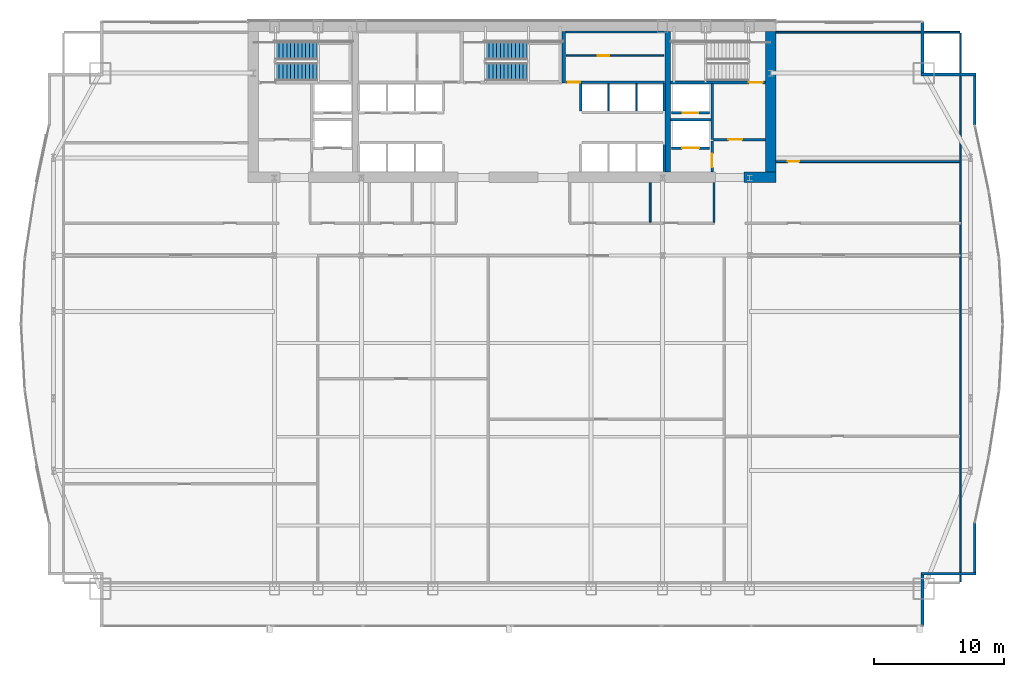
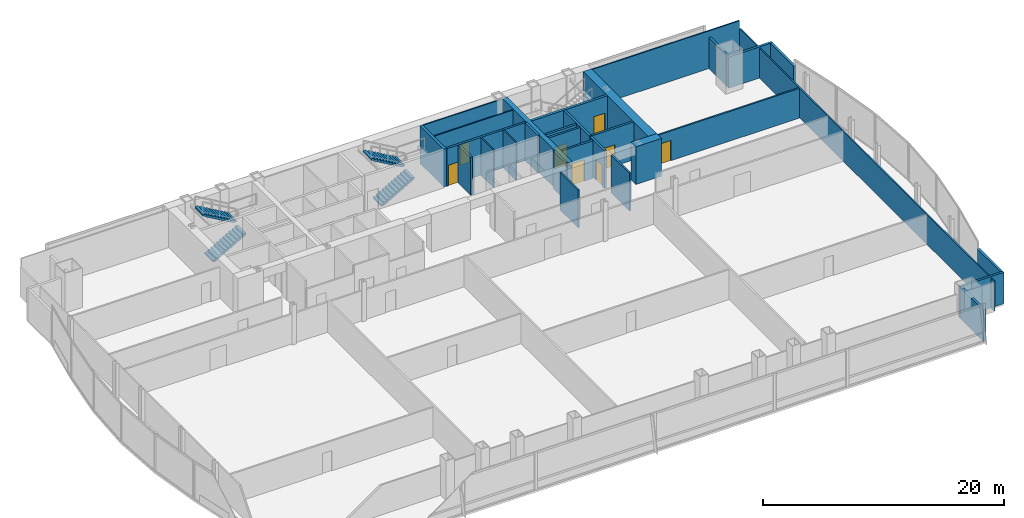
# One storey, part 31 of 35: 30 walls, 8 doors, 4 stair flights, 8 openings, 2 elements without a shape of their own.
"""IFC4 building model written with IfcOpenShell, lengths in metres."""

from ifc_helpers import new_model, si_unit, direction, frame, frame_2d, origin, place, context, subcontext, project, spatial, polyline, rectangle, outline, extrude, material, layer, layer_set, type_object, element, fill, aggregate, save


model = new_model("IFC4")

# Units and contexts
model_context = context("Model", 3, precision=1e-05, world=origin(), true_north=direction((0.0, 1.0)))
body_context = subcontext(model_context, "Body", "Model", "MODEL_VIEW")
ifc_project = project(units=[si_unit("LENGTHUNIT", "METRE"), si_unit("AREAUNIT", "SQUARE_METRE"), si_unit("VOLUMEUNIT", "CUBIC_METRE"), si_unit("PLANEANGLEUNIT", "RADIAN"), si_unit("MASSUNIT", "GRAM", prefix="KILO")], contexts=[model_context])

# Site, building, storey
site_placement = place(None, origin())
site = spatial("IfcSite", under=ifc_project, at=site_placement, CompositionType="ELEMENT")
building_placement = place(site_placement, origin())
building = spatial("IfcBuilding", under=site, at=building_placement, Name="Khoronbel Lancet Exchange", CompositionType="ELEMENT")
storey_placement = place(building_placement, frame((0.0, 0.0, 53.800048828125)))
storey = spatial("IfcBuildingStorey", under=building, at=storey_placement, Name="L12", CompositionType="ELEMENT", Elevation=53.800048828125)

# Walls
ifc_material_1 = material(Name="Concrete C80/95", Category="concrete")
ifc_layer_1 = layer(ifc_material_1, 0.800048828125, Name="Concrete C80/95")
ifc_layer_set_1 = layer_set([ifc_layer_1], Name="Concrete C80/95")
wall_type_1 = type_object("IfcWallType", Name="WL-CW1", PredefinedType="SHEAR", material=ifc_layer_set_1)
wall_1_placement = place(storey_placement, frame((56.300048828125, 52.89990234375, 0.0), z_axis=(0.0, 0.0, 1.0), x_axis=(0.0, -1.0, 0.0)))
element("IfcWall", 1, at=wall_1_placement, inside=storey, type_object=wall_type_1, Name="Level L12 rear core east shear wall", PredefinedType="SHEAR", context=body_context, shape_type="SweptSolid", body=[
    extrude(rectangle(XDim=10.7998046875, YDim=0.800048828125, at=frame_2d((5.39990234375, 0.0))), origin(), (0.0, 0.0, 1.0), 3.820068359375),
])
wall_2_placement = place(storey_placement, frame((56.699951171875, 41.699951171875, 0.0), z_axis=(0.0, 0.0, 1.0), x_axis=(-1.0, 0.0, 0.0)))
element("IfcWall", 2, at=wall_2_placement, inside=storey, type_object=wall_type_1, Name="Level L12 rear core south shear wall pier P5", PredefinedType="SHEAR", context=body_context, shape_type="SweptSolid", body=[
    extrude(rectangle(XDim=2.449951171875, YDim=0.800048828125, at=frame_2d((1.22509765625, 0.0))), origin(), (0.0, 0.0, 1.0), 3.820068359375),
])
ifc_material_2 = material(Name="Precast concrete C40/50", Category="concrete")
ifc_layer_2 = layer(ifc_material_2, 0.25, Name="Precast concrete C40/50")
ifc_layer_set_2 = layer_set([ifc_layer_2], Name="Precast concrete C40/50")
wall_type_2 = type_object("IfcWallType", Name="WL-EXT250", PredefinedType="SOLIDWALL", material=ifc_layer_set_2)
wall_3_placement = place(storey_placement, frame((67.9599609375, 53.6298828125, 0.0), z_axis=(0.0, 0.0, 1.0), x_axis=(0.0, -1.0, 0.0)))
element("IfcWall", 3, at=wall_3_placement, inside=storey, type_object=wall_type_2, Name="Level L12 notched-corner limestone pier 14", PredefinedType="SOLIDWALL", context=body_context, shape_type="SweptSolid", body=[
    extrude(rectangle(XDim=3.909912109375, YDim=0.219970703125, at=frame_2d((1.955078125, 0.0))), origin(), (0.0, 0.0, 1.0), 3.159912109375),
])
wall_4_placement = place(storey_placement, frame((67.85009765625, 49.610107421875, 0.0), z_axis=(0.0, 0.0, 1.0), x_axis=(1.0, 0.0, 0.0)))
element("IfcWall", 4, at=wall_4_placement, inside=storey, type_object=wall_type_2, Name="Level L12 notched-corner limestone pier 15", PredefinedType="SOLIDWALL", context=body_context, shape_type="SweptSolid", body=[
    extrude(rectangle(XDim=4.219970703125, YDim=0.219970703125, at=frame_2d((2.10986328125, 0.0))), origin(), (0.0, 0.0, 1.0), 3.159912109375),
])
wall_5_placement = place(storey_placement, frame((71.9599609375, 49.5, 0.0), z_axis=(0.0, 0.0, 1.0), x_axis=(0.0, -1.0, 0.0)))
element("IfcWall", 5, at=wall_5_placement, inside=storey, type_object=wall_type_2, Name="Level L12 notched-corner limestone pier 16", PredefinedType="SOLIDWALL", context=body_context, shape_type="SweptSolid", body=[
    extrude(rectangle(XDim=3.829345703125, YDim=0.219970703125, at=frame_2d((1.91455078125, 0.0))), origin(), (0.0, 0.0, 1.0), 3.159912109375),
])
wall_6_placement = place(storey_placement, frame((71.9599609375, 15.2294921875, 0.0), z_axis=(0.0, 0.0, 1.0), x_axis=(0.0, -1.0, 0.0)))
element("IfcWall", 6, at=wall_6_placement, inside=storey, type_object=wall_type_2, Name="Level L12 notched-corner limestone pier 23", PredefinedType="SOLIDWALL", context=body_context, shape_type="SweptSolid", body=[
    extrude(rectangle(XDim=3.82958984375, YDim=0.219970703125, at=frame_2d((1.914794921875, 0.0))), origin(), (0.0, 0.0, 1.0), 3.159912109375),
])
wall_7_placement = place(storey_placement, frame((72.070068359375, 11.2900390625, 0.0), z_axis=(0.0, 0.0, 1.0), x_axis=(-1.0, 0.0, 0.0)))
element("IfcWall", 7, at=wall_7_placement, inside=storey, type_object=wall_type_2, Name="Level L12 notched-corner limestone pier 24", PredefinedType="SOLIDWALL", context=body_context, shape_type="SweptSolid", body=[
    extrude(rectangle(XDim=4.219970703125, YDim=0.219970703125, at=frame_2d((2.10986328125, 0.0))), origin(), (0.0, 0.0, 1.0), 3.159912109375),
])
wall_8_placement = place(storey_placement, frame((67.9599609375, 11.179931640625, 0.0), z_axis=(0.0, 0.0, 1.0), x_axis=(0.0, -1.0, 0.0)))
element("IfcWall", 8, at=wall_8_placement, inside=storey, type_object=wall_type_2, Name="Level L12 notched-corner limestone pier 25", PredefinedType="SOLIDWALL", context=body_context, shape_type="SweptSolid", body=[
    extrude(rectangle(XDim=3.909912109375, YDim=0.219970703125, at=frame_2d((1.955078125, 0.0))), origin(), (0.0, 0.0, 1.0), 3.159912109375),
])
ifc_material_3 = material(Name="Acoustic Metal-Stud & Mineral-Wool Gypsum Partition 120 mm", Category="gypsum")
ifc_layer_3 = layer(ifc_material_3, 0.1201171875, Name="Acoustic Metal-Stud & Mineral-Wool Gypsum Partition 120 mm")
ifc_layer_set_3 = layer_set([ifc_layer_3], Name="Acoustic Metal-Stud & Mineral-Wool Gypsum Partition 120 mm")
wall_type_3 = type_object("IfcWallType", Name="WL-PRT120", PredefinedType="PARTITIONING", material=ifc_layer_set_3)
for number, where, z_axis, x_axis, name in (
    (9, (47.050048828125, 38.280029296875, 0.0), (0.0, 0.0, 1.0), (0.0, 1.0, 0.0), "Level L12 interior partition PW-NP-M"),
    (10, (51.949951171875, 38.280029296875, 0.0), (0.0, 0.0, 1.0), (0.0, 1.0, 0.0), "Level L12 interior partition PW-NP-1"),
):
    element("IfcWall", number, at=place(storey_placement, frame(where, z_axis=z_axis, x_axis=x_axis)), inside=storey, type_object=wall_type_3, Name=name, PredefinedType="PARTITIONING", context=body_context, shape_type="SweptSolid", body=[
        extrude(rectangle(XDim=3.02001953125, YDim=0.14990234375, at=frame_2d((1.510009765625, 0.0))), origin(), (0.0, 0.0, 1.0), 3.820068359375),
    ])

# Wall, opening, door
wall_9_placement = place(storey_placement, frame((56.699951171875, 42.919921875, 0.0), z_axis=(0.0, 0.0, 1.0), x_axis=(1.0, 0.0, 0.0)))
wall_9 = element("IfcWall", 11, at=wall_9_placement, inside=storey, type_object=wall_type_3, Name="Level L12 interior partition PW-NE-H", PredefinedType="PARTITIONING", context=body_context, shape_type="SweptSolid", body=[
    extrude(rectangle(XDim=14.10498046875, YDim=0.14990234375, at=frame_2d((7.052490234375, 0.0))), origin(), (0.0, 0.0, 1.0), 3.010009765625),
])
opening_1_placement = place(wall_9_placement, frame((0.89990234375, 0.0, 0.0)))
opening_1 = element("IfcOpeningElement", 12, at=opening_1_placement, cuts=wall_9, Name="Opening D5", PredefinedType="OPENING", context=body_context, shape_type="SweptSolid", body=[
    extrude(rectangle(XDim=0.89990234375, YDim=2.050048828125, at=frame_2d((0.449951171875, 1.02490234375))), frame((0.0, 0.0849609375, 0.0), z_axis=(0.0, -1.0, 0.0), x_axis=(1.0, 0.0, 0.0)), (0.0, 0.0, 1.0), 0.169921875),
])
ifc_material_4 = material(Name="Acoustic Timber Pantry & Support Door", Category="wood")
door_type_1 = type_object("IfcDoorType", Name="DR-D5", OperationType="NOTDEFINED", PredefinedType="DOOR", material=ifc_material_4)
door_1_placement = place(opening_1_placement, origin())
door_1 = element("IfcDoor", 13, at=door_1_placement, inside=storey, type_object=door_type_1, Name="NE north room door L12-1", OperationType="SINGLE_SWING_LEFT", OverallHeight=2.050048828125, OverallWidth=0.89990234375, PredefinedType="DOOR", context=body_context, shape_type="SweptSolid", body=[
    extrude(rectangle(XDim=0.89990234375, YDim=2.050048828125, at=frame_2d((0.449951171875, 1.02490234375))), frame((0.0, 0.02490234375, 0.0), z_axis=(0.0, -1.0, 0.0), x_axis=(1.0, 0.0, 0.0)), (0.0, 0.0, 1.0), 0.050048828125),
])
fill(opening_1, door_1)

# Walls
wall_10_placement = place(storey_placement, frame((70.8701171875, 10.6650390625, 0.0), z_axis=(0.0, 0.0, 1.0), x_axis=(0.0, 1.0, 0.0)))
element("IfcWall", 14, at=wall_10_placement, inside=storey, type_object=wall_type_3, Name="Level L12 interior partition PW-LIN-E", PredefinedType="PARTITIONING", context=body_context, shape_type="SweptSolid", body=[
    extrude(rectangle(XDim=42.10986328125, YDim=0.1201171875, at=frame_2d((21.054931640625, 0.0))), origin(), (0.0, 0.0, 1.0), 3.010009765625),
])
wall_11_placement = place(storey_placement, frame((56.699951171875, 52.840087890625, 0.0), z_axis=(0.0, 0.0, 1.0), x_axis=(1.0, 0.0, 0.0)))
element("IfcWall", 15, at=wall_11_placement, inside=storey, type_object=wall_type_3, Name="Level L12 interior partition PW-LIN-NE", PredefinedType="PARTITIONING", context=body_context, shape_type="SweptSolid", body=[
    extrude(rectangle(XDim=14.10498046875, YDim=0.1201171875, at=frame_2d((7.052490234375, 0.0))), origin(), (0.0, 0.0, 1.0), 3.820068359375),
])
ifc_material_5 = material(Name="Fire-Rated Metal-Stud & Mineral-Wool Gypsum Partition 120 mm", Category="gypsum")
ifc_layer_4 = layer(ifc_material_5, 0.1201171875, Name="Fire-Rated Metal-Stud & Mineral-Wool Gypsum Partition 120 mm")
ifc_layer_set_4 = layer_set([ifc_layer_4], Name="Fire-Rated Metal-Stud & Mineral-Wool Gypsum Partition 120 mm")
wall_type_4 = type_object("IfcWallType", Name="WL-PRT120F", PredefinedType="PARTITIONING", material=ifc_layer_set_4)
for number, where, z_axis, x_axis, name in (
    (16, (43.860107421875, 46.804931640625, 0.0), (0.0, 0.0, 1.0), (0.0, 1.0, 0.0), "Level L12 interior partition CW-PH-D1"),
    (17, (46.0, 46.804931640625, 0.0), (0.0, 0.0, 1.0), (0.0, 1.0, 0.0), "Level L12 interior partition CW-PH-D2"),
):
    element("IfcWall", number, at=place(storey_placement, frame(where, z_axis=z_axis, x_axis=x_axis)), inside=storey, type_object=wall_type_4, Name=name, PredefinedType="PARTITIONING", context=body_context, shape_type="SweptSolid", body=[
        extrude(rectangle(XDim=2.090087890625, YDim=0.1201171875, at=frame_2d((1.044921875, 0.0))), origin(), (0.0, 0.0, 1.0), 3.820068359375),
    ])
wall_12_placement = place(storey_placement, frame((40.580078125, 52.860107421875, 0.0), z_axis=(0.0, 0.0, 1.0), x_axis=(1.0, 0.0, 0.0)))
element("IfcWall", 18, at=wall_12_placement, inside=storey, type_object=wall_type_4, Name="Level L12 interior partition CW-SUP-NE-N", PredefinedType="PARTITIONING", context=body_context, shape_type="SweptSolid", body=[
    extrude(rectangle(XDim=7.559814453125, YDim=0.1201171875, at=frame_2d((3.77978515625, 0.0))), origin(), (0.0, 0.0, 1.0), 3.820068359375),
])

# Wall, opening, door
wall_13_placement = place(storey_placement, frame((40.6298828125, 51.0400390625, 0.0), z_axis=(0.0, 0.0, 1.0), x_axis=(1.0, 0.0, 0.0)))
wall_13 = element("IfcWall", 19, at=wall_13_placement, inside=storey, type_object=wall_type_4, Name="Level L12 interior partition CW-SUP-NE-H", PredefinedType="PARTITIONING", context=body_context, shape_type="SweptSolid", body=[
    extrude(rectangle(XDim=7.460205078125, YDim=0.1201171875, at=frame_2d((3.72998046875, 0.0))), origin(), (0.0, 0.0, 1.0), 3.820068359375),
])
opening_2_placement = place(wall_13_placement, frame((2.39990234375, 0.0, 0.0)))
opening_2 = element("IfcOpeningElement", 20, at=opening_2_placement, cuts=wall_13, Name="Opening FD4", PredefinedType="OPENING", context=body_context, shape_type="SweptSolid", body=[
    extrude(rectangle(XDim=0.89990234375, YDim=2.050048828125, at=frame_2d((0.449951171875, 1.02490234375))), frame((0.0, 0.070068359375, 0.0), z_axis=(0.0, -1.0, 0.0), x_axis=(1.0, 0.0, 0.0)), (0.0, 0.0, 1.0), 0.14013671875),
])
ifc_material_6 = material(Name="Fire-Rated Steel Core Support Door Assembly", Category="steel")
door_type_2 = type_object("IfcDoorType", Name="DR-FD4", OperationType="NOTDEFINED", PredefinedType="DOOR", material=ifc_material_6)
door_2_placement = place(opening_2_placement, origin())
door_2 = element("IfcDoor", 21, at=door_2_placement, inside=storey, type_object=door_type_2, Name="Core NE north store door L12-1", OperationType="SINGLE_SWING_RIGHT", OverallHeight=2.050048828125, OverallWidth=0.89990234375, PredefinedType="DOOR", context=body_context, shape_type="SweptSolid", body=[
    extrude(rectangle(XDim=0.89990234375, YDim=2.050048828125, at=frame_2d((0.449951171875, 1.02490234375))), frame((0.0, 0.02490234375, 0.0), z_axis=(0.0, -1.0, 0.0), x_axis=(1.0, 0.0, 0.0)), (0.0, 0.0, 1.0), 0.050048828125),
])
fill(opening_2, door_2)

ifc_material_7 = material(Name="Autoclaved Aerated Concrete Blockwork 200 mm", Category="masonry")
ifc_layer_5 = layer(ifc_material_7, 0.199951171875, Name="Autoclaved Aerated Concrete Blockwork 200 mm")
ifc_layer_set_5 = layer_set([ifc_layer_5], Name="Autoclaved Aerated Concrete Blockwork 200 mm")
wall_type_5 = type_object("IfcWallType", Name="WL-PRT200", PredefinedType="PARTITIONING", material=ifc_layer_set_5)
wall_14_placement = place(storey_placement, frame((51.610107421875, 43.949951171875, 0.0), z_axis=(0.0, 0.0, 1.0), x_axis=(-1.0, 0.0, 0.0)))
wall_14 = element("IfcWall", 22, at=wall_14_placement, inside=storey, type_object=wall_type_5, Name="Level L12 elevator hoistway landing front wall SVLE", PredefinedType="PARTITIONING", context=body_context, shape_type="SweptSolid", body=[
    extrude(rectangle(XDim=2.920166015625, YDim=0.199951171875, at=frame_2d((1.4599609375, 0.0))), origin(), (0.0, 0.0, 1.0), 3.820068359375),
])
opening_3_placement = place(wall_14_placement, frame((0.81005859375, 0.0, 0.0)))
opening_3 = element("IfcOpeningElement", 23, at=opening_3_placement, cuts=wall_14, Name="Opening LD-SVL2", PredefinedType="OPENING", context=body_context, shape_type="SweptSolid", body=[
    extrude(rectangle(XDim=1.300048828125, YDim=2.179931640625, at=frame_2d((0.64990234375, 1.08984375))), frame((0.0, 0.10986328125, 0.0), z_axis=(0.0, -1.0, 0.0), x_axis=(1.0, 0.0, 0.0)), (0.0, 0.0, 1.0), 0.219970703125),
])
ifc_material_8 = material(Name="Heavy-Duty Bi-Parting Goods Lift Landing Door", Category="steel")
door_type_3 = type_object("IfcDoorType", Name="DR-LD-SVL", OperationType="NOTDEFINED", PredefinedType="DOOR", material=ifc_material_8)
door_3_placement = place(opening_3_placement, origin())
door_3 = element("IfcDoor", 24, at=door_3_placement, inside=storey, type_object=door_type_3, Name="Elevator landing sliding door LD-SVL2 L12", OperationType="SLIDING_TO_LEFT", OverallHeight=2.179931640625, OverallWidth=1.300048828125, PredefinedType="DOOR", context=body_context, shape_type="SweptSolid", body=[
    extrude(rectangle(XDim=1.300048828125, YDim=2.179931640625, at=frame_2d((0.64990234375, 1.08984375))), frame((0.0, 0.02490234375, 0.0), z_axis=(0.0, -1.0, 0.0), x_axis=(1.0, 0.0, 0.0)), (0.0, 0.0, 1.0), 0.050048828125),
])
fill(opening_3, door_3)

wall_15_placement = place(storey_placement, frame((51.610107421875, 46.64990234375, 0.0), z_axis=(0.0, 0.0, 1.0), x_axis=(-1.0, 0.0, 0.0)))
wall_15 = element("IfcWall", 25, at=wall_15_placement, inside=storey, type_object=wall_type_5, Name="Level L12 elevator hoistway landing front wall FFLE", PredefinedType="PARTITIONING", context=body_context, shape_type="SweptSolid", body=[
    extrude(rectangle(XDim=2.920166015625, YDim=0.199951171875, at=frame_2d((1.4599609375, 0.0))), origin(), (0.0, 0.0, 1.0), 3.820068359375),
])
opening_4_placement = place(wall_15_placement, frame((0.860107421875, 0.0, 0.0)))
opening_4 = element("IfcOpeningElement", 26, at=opening_4_placement, cuts=wall_15, Name="Opening LD-FFL2", PredefinedType="OPENING", context=body_context, shape_type="SweptSolid", body=[
    extrude(rectangle(XDim=1.199951171875, YDim=2.179931640625, at=frame_2d((0.60009765625, 1.08984375))), frame((0.0, 0.10986328125, 0.0), z_axis=(0.0, -1.0, 0.0), x_axis=(1.0, 0.0, 0.0)), (0.0, 0.0, 1.0), 0.219970703125),
])
ifc_material_9 = material(Name="Fire-Rated Stainless Bi-Parting Firefighting Lift Door", Category="steel")
door_type_4 = type_object("IfcDoorType", Name="DR-LD-FFL", OperationType="NOTDEFINED", PredefinedType="DOOR", material=ifc_material_9)
door_4_placement = place(opening_4_placement, origin())
door_4 = element("IfcDoor", 27, at=door_4_placement, inside=storey, type_object=door_type_4, Name="Elevator landing sliding door LD-FFL2 L12", OperationType="SLIDING_TO_LEFT", OverallHeight=2.179931640625, OverallWidth=1.199951171875, PredefinedType="DOOR", context=body_context, shape_type="SweptSolid", body=[
    extrude(rectangle(XDim=1.199951171875, YDim=2.179931640625, at=frame_2d((0.60009765625, 1.08984375))), frame((0.0, 0.02490234375, 0.0), z_axis=(0.0, -1.0, 0.0), x_axis=(1.0, 0.0, 0.0)), (0.0, 0.0, 1.0), 0.050048828125),
])
fill(opening_4, door_4)

# Wall
wall_16_placement = place(storey_placement, frame((51.800048828125, 44.60009765625, 0.0), z_axis=(0.0, 0.0, 1.0), x_axis=(0.0, 1.0, 0.0)))
element("IfcWall", 28, at=wall_16_placement, inside=storey, type_object=wall_type_5, Name="Level L12 interior partition CW-FFLE-W", PredefinedType="PARTITIONING", context=body_context, shape_type="SweptSolid", body=[
    extrude(rectangle(XDim=4.2998046875, YDim=0.199951171875, at=frame_2d((2.14990234375, 0.0))), origin(), (0.0, 0.0, 1.0), 3.820068359375),
])

# Wall, opening, door
wall_17_placement = place(storey_placement, frame((51.89990234375, 44.60009765625, 0.0), z_axis=(0.0, 0.0, 1.0), x_axis=(1.0, 0.0, 0.0)))
wall_17 = element("IfcWall", 29, at=wall_17_placement, inside=storey, type_object=wall_type_5, Name="Level L12 interior partition CW-FFLE-S", PredefinedType="PARTITIONING", context=body_context, shape_type="SweptSolid", body=[
    extrude(rectangle(XDim=4.0, YDim=0.199951171875, at=frame_2d((2.0, 0.0))), origin(), (0.0, 0.0, 1.0), 3.820068359375),
])
opening_5_placement = place(wall_17_placement, frame((1.14990234375, 0.0, 0.0)))
opening_5 = element("IfcOpeningElement", 30, at=opening_5_placement, cuts=wall_17, Name="Opening FD1", PredefinedType="OPENING", context=body_context, shape_type="SweptSolid", body=[
    extrude(rectangle(XDim=1.050048828125, YDim=2.14990234375, at=frame_2d((0.52490234375, 1.074951171875))), frame((0.0, 0.10986328125, 0.0), z_axis=(0.0, -1.0, 0.0), x_axis=(1.0, 0.0, 0.0)), (0.0, 0.0, 1.0), 0.219970703125),
])
ifc_material_10 = material(Name="Fire-Rated Painted Steel Door Assembly", Category="steel")
door_type_5 = type_object("IfcDoorType", Name="DR-FD1", OperationType="NOTDEFINED", PredefinedType="DOOR", material=ifc_material_10)
door_5_placement = place(opening_5_placement, origin())
door_5 = element("IfcDoor", 31, at=door_5_placement, inside=storey, type_object=door_type_5, Name="East firefighting lobby FD90S door L12-1", OperationType="SINGLE_SWING_LEFT", OverallHeight=2.14990234375, OverallWidth=1.050048828125, PredefinedType="DOOR", context=body_context, shape_type="SweptSolid", body=[
    extrude(rectangle(XDim=1.050048828125, YDim=2.14990234375, at=frame_2d((0.52490234375, 1.074951171875))), frame((0.0, 0.02490234375, 0.0), z_axis=(0.0, -1.0, 0.0), x_axis=(1.0, 0.0, 0.0)), (0.0, 0.0, 1.0), 0.050048828125),
])
fill(opening_5, door_5)

# Wall
wall_18_placement = place(storey_placement, frame((48.6298828125, 46.1201171875, 0.0), z_axis=(0.0, 0.0, 1.0), x_axis=(1.0, 0.0, 0.0)))
element("IfcWall", 32, at=wall_18_placement, inside=storey, type_object=wall_type_5, Name="Level L12 interior partition CW-FFL2-S", PredefinedType="PARTITIONING", context=body_context, shape_type="SweptSolid", body=[
    extrude(rectangle(XDim=3.070068359375, YDim=0.199951171875, at=frame_2d((1.53515625, 0.0))), origin(), (0.0, 0.0, 1.0), 3.820068359375),
])

# Wall, opening, door
wall_19_placement = place(storey_placement, frame((51.800048828125, 42.10009765625, 0.0), z_axis=(0.0, 0.0, 1.0), x_axis=(0.0, 1.0, 0.0)))
wall_19 = element("IfcWall", 33, at=wall_19_placement, inside=storey, type_object=wall_type_5, Name="Level L12 interior partition CW-SVLE-E", PredefinedType="PARTITIONING", context=body_context, shape_type="SweptSolid", body=[
    extrude(rectangle(XDim=2.39501953125, YDim=0.199951171875, at=frame_2d((1.197509765625, 0.0))), origin(), (0.0, 0.0, 1.0), 3.820068359375),
])
opening_6_placement = place(wall_19_placement, frame((0.3798828125, 0.0, 0.0)))
opening_6 = element("IfcOpeningElement", 34, at=opening_6_placement, cuts=wall_19, Name="Opening FD1", PredefinedType="OPENING", context=body_context, shape_type="SweptSolid", body=[
    extrude(rectangle(XDim=1.050048828125, YDim=2.14990234375, at=frame_2d((0.52490234375, 1.074951171875))), frame((0.0, 0.10986328125, 0.0), z_axis=(0.0, -1.0, 0.0), x_axis=(1.0, 0.0, 0.0)), (0.0, 0.0, 1.0), 0.219970703125),
])
door_6_placement = place(opening_6_placement, origin())
door_6 = element("IfcDoor", 35, at=door_6_placement, inside=storey, type_object=door_type_5, Name="East service lift lobby door L12-1", OperationType="SINGLE_SWING_RIGHT", OverallHeight=2.14990234375, OverallWidth=1.050048828125, PredefinedType="DOOR", context=body_context, shape_type="SweptSolid", body=[
    extrude(rectangle(XDim=1.050048828125, YDim=2.14990234375, at=frame_2d((0.52490234375, 1.074951171875))), frame((0.0, 0.02490234375, 0.0), z_axis=(0.0, -1.0, 0.0), x_axis=(1.0, 0.0, 0.0)), (0.0, 0.0, 1.0), 0.050048828125),
])
fill(opening_6, door_6)

# Walls
for number, where, z_axis, x_axis, name in (
    (36, (41.719970703125, 46.804931640625, 0.0), (0.0, 0.0, 1.0), (0.0, 1.0, 0.0), "Level L12 interior partition CW-PH-W"),
    (37, (48.139892578125, 46.804931640625, 0.0), (0.0, 0.0, 1.0), (0.0, 1.0, 0.0), "Level L12 interior partition CW-PH-E"),
):
    element("IfcWall", number, at=place(storey_placement, frame(where, z_axis=z_axis, x_axis=x_axis)), inside=storey, type_object=wall_type_5, Name=name, PredefinedType="PARTITIONING", context=body_context, shape_type="SweptSolid", body=[
        extrude(rectangle(XDim=2.090087890625, YDim=0.199951171875, at=frame_2d((1.044921875, 0.0))), origin(), (0.0, 0.0, 1.0), 3.820068359375),
    ])
wall_20_placement = place(storey_placement, frame((48.139892578125, 42.14990234375, 0.0), z_axis=(0.0, 0.0, 1.0), x_axis=(0.0, 1.0, 0.0)))
element("IfcWall", 38, at=wall_20_placement, inside=storey, type_object=wall_type_5, Name="Level L12 interior partition CW-PX-E", PredefinedType="PARTITIONING", context=body_context, shape_type="SweptSolid", body=[
    extrude(rectangle(XDim=2.09521484375, YDim=0.199951171875, at=frame_2d((1.047607421875, 0.0))), origin(), (0.0, 0.0, 1.0), 3.820068359375),
])

# Wall, opening, door
wall_21_placement = place(storey_placement, frame((40.580078125, 49.0, 0.0), z_axis=(0.0, 0.0, 1.0), x_axis=(1.0, 0.0, 0.0)))
wall_21 = element("IfcWall", 39, at=wall_21_placement, inside=storey, type_object=wall_type_5, Name="Level L12 interior partition CW-SUP-NE-S", PredefinedType="PARTITIONING", context=body_context, shape_type="SweptSolid", body=[
    extrude(rectangle(XDim=7.559814453125, YDim=0.199951171875, at=frame_2d((3.77978515625, 0.0))), origin(), (0.0, 0.0, 1.0), 3.820068359375),
])
opening_7_placement = place(wall_21_placement, frame((0.159912109375, 0.0, 0.0)))
opening_7 = element("IfcOpeningElement", 40, at=opening_7_placement, cuts=wall_21, Name="Opening FD3", PredefinedType="OPENING", context=body_context, shape_type="SweptSolid", body=[
    extrude(rectangle(XDim=0.949951171875, YDim=2.10009765625, at=frame_2d((0.47509765625, 1.050048828125))), frame((0.0, 0.10986328125, 0.0), z_axis=(0.0, -1.0, 0.0), x_axis=(1.0, 0.0, 0.0)), (0.0, 0.0, 1.0), 0.219970703125),
])
ifc_material_11 = material(Name="Fire-Rated Steel Plant & Riser Door Assembly", Category="steel")
door_type_6 = type_object("IfcDoorType", Name="DR-FD3", OperationType="NOTDEFINED", PredefinedType="DOOR", material=ifc_material_11)
door_7_placement = place(opening_7_placement, origin())
door_7 = element("IfcDoor", 41, at=door_7_placement, inside=storey, type_object=door_type_6, Name="Core NE support room door L12-1", OperationType="SINGLE_SWING_LEFT", OverallHeight=2.10009765625, OverallWidth=0.949951171875, PredefinedType="DOOR", context=body_context, shape_type="SweptSolid", body=[
    extrude(rectangle(XDim=0.949951171875, YDim=2.10009765625, at=frame_2d((0.47509765625, 1.050048828125))), frame((0.0, 0.02490234375, 0.0), z_axis=(0.0, -1.0, 0.0), x_axis=(1.0, 0.0, 0.0)), (0.0, 0.0, 1.0), 0.050048828125),
])
fill(opening_7, door_7)

# Walls
ifc_layer_6 = layer(ifc_material_1, 0.449951171875, Name="Concrete C80/95")
ifc_layer_set_6 = layer_set([ifc_layer_6], Name="Concrete C80/95")
wall_type_6 = type_object("IfcWallType", Name="WL-SW1", PredefinedType="SHEAR", material=ifc_layer_set_6)
wall_22_placement = place(storey_placement, frame((48.39990234375, 42.10009765625, 0.0), z_axis=(0.0, 0.0, 1.0), x_axis=(0.0, 1.0, 0.0)))
element("IfcWall", 42, at=wall_22_placement, inside=storey, type_object=wall_type_6, Name="Level L12 rear core internal spine shear wall IE", PredefinedType="SHEAR", context=body_context, shape_type="SweptSolid", body=[
    extrude(rectangle(XDim=10.7998046875, YDim=0.449951171875, at=frame_2d((5.39990234375, 0.0))), origin(), (0.0, 0.0, 1.0), 3.820068359375),
])
ifc_material_12 = material(Name="Concrete C60/75", Category="concrete")
ifc_layer_7 = layer(ifc_material_12, 0.260009765625, Name="Concrete C60/75")
ifc_layer_set_7 = layer_set([ifc_layer_7], Name="Concrete C60/75")
wall_type_7 = type_object("IfcWallType", Name="WL-SW3", PredefinedType="SHEAR", material=ifc_layer_set_7)
wall_23_placement = place(storey_placement, frame((40.419921875, 48.949951171875, 0.0), z_axis=(0.0, 0.0, 1.0), x_axis=(0.0, 1.0, 0.0)))
element("IfcWall", 43, at=wall_23_placement, inside=storey, type_object=wall_type_7, Name="Level L12 central stairwell structural shear wall ST3E", PredefinedType="SHEAR", context=body_context, shape_type="SweptSolid", body=[
    extrude(rectangle(XDim=3.949951171875, YDim=0.260009765625, at=frame_2d((1.97509765625, 0.0))), origin(), (0.0, 0.0, 1.0), 3.820068359375),
])

# Wall, opening, door
wall_24_placement = place(storey_placement, frame((48.6298828125, 48.97998046875, 0.0), z_axis=(0.0, 0.0, 1.0), x_axis=(1.0, 0.0, 0.0)))
wall_24 = element("IfcWall", 44, at=wall_24_placement, inside=storey, type_object=wall_type_7, Name="Level L12 east stairwell structural south wall", PredefinedType="SHEAR", context=body_context, shape_type="SweptSolid", body=[
    extrude(rectangle(XDim=7.27001953125, YDim=0.239990234375, at=frame_2d((3.635009765625, 0.0))), origin(), (0.0, 0.0, 1.0), 3.820068359375),
])
opening_8_placement = place(wall_24_placement, frame((6.0, 0.0, 0.0)))
opening_8 = element("IfcOpeningElement", 45, at=opening_8_placement, cuts=wall_24, Name="Opening SD1", PredefinedType="OPENING", context=body_context, shape_type="SweptSolid", body=[
    extrude(rectangle(XDim=1.050048828125, YDim=2.14990234375, at=frame_2d((0.52490234375, 1.074951171875))), frame((0.0, 0.1298828125, 0.0), z_axis=(0.0, -1.0, 0.0), x_axis=(1.0, 0.0, 0.0)), (0.0, 0.0, 1.0), 0.260009765625),
])
ifc_material_13 = material(Name="Fire-Rated Steel Stairwell Door Assembly", Category="steel")
door_type_7 = type_object("IfcDoorType", Name="DR-SD1", OperationType="NOTDEFINED", PredefinedType="DOOR", material=ifc_material_13)
door_8_placement = place(opening_8_placement, origin())
door_8 = element("IfcDoor", 46, at=door_8_placement, inside=storey, type_object=door_type_7, Name="Protected exit stair ST2 door L12", OperationType="SINGLE_SWING_RIGHT", OverallHeight=2.14990234375, OverallWidth=1.050048828125, PredefinedType="DOOR", context=body_context, shape_type="SweptSolid", body=[
    extrude(rectangle(XDim=1.050048828125, YDim=2.14990234375, at=frame_2d((0.52490234375, 1.074951171875))), frame((0.0, 0.02490234375, 0.0), z_axis=(0.0, -1.0, 0.0), x_axis=(1.0, 0.0, 0.0)), (0.0, 0.0, 1.0), 0.050048828125),
])
fill(opening_8, door_8)

# Stair, stair flights
ifc_material_14 = material(Name="Concrete C40/50", Category="concrete")
stair_type = type_object("IfcStairType", Name="STR-CORE150", PredefinedType="HALF_TURN_STAIR", material=ifc_material_14)
stair_1_placement = place(storey_placement, origin())
stair_1 = element("IfcStair", 47, at=stair_1_placement, inside=storey, type_object=stair_type, Name="L12 Protected Exit Stair ST1", PredefinedType="HALF_TURN_STAIR")
stair_flight_type = type_object("IfcStairFlightType", Name="STF-150", PredefinedType="STRAIGHT", material=ifc_material_14)
stair_flight_1_placement = place(storey_placement, frame((18.300048828125, 49.81005859375, 0.0), z_axis=(0.0, 0.0, 1.0), x_axis=(1.0, 0.0, 0.0)))
stair_flight_1 = element("IfcStairFlight", 48, at=stair_flight_1_placement, type_object=stair_flight_type, Name="ST1 flight 1", NumberOfRisers=12, NumberOfTreads=11, PredefinedType="STRAIGHT", RiserHeight=0.166666667, TreadLength=0.29, context=body_context, shape_type="SweptSolid", body=[
    extrude(outline(polyline([(0.0, 0.0), (0.0, 0.166748046875), (0.2900390625, 0.166748046875), (0.2900390625, 0.333251953125), (0.580078125, 0.333251953125), (0.580078125, 0.5), (0.8701171875, 0.5), (0.8701171875, 0.666748046875), (1.159912109375, 0.666748046875), (1.159912109375, 0.833251953125), (1.449951171875, 0.833251953125), (1.449951171875, 1.0), (1.739990234375, 1.0), (1.739990234375, 1.166748046875), (2.030029296875, 1.166748046875), (2.030029296875, 1.333251953125), (2.320068359375, 1.333251953125), (2.320068359375, 1.5), (2.610107421875, 1.5), (2.610107421875, 1.666748046875), (2.89990234375, 1.666748046875), (2.89990234375, 1.833251953125), (3.18994140625, 1.833251953125), (3.18994140625, 2.0), (3.18994140625, 1.660400390625), (0.30078125, 0.0), (0.0, 0.0)])), frame((0.0, 0.68994140625, 0.0), z_axis=(0.0, -1.0, 0.0), x_axis=(1.0, 0.0, 0.0)), (0.0, 0.0, 1.0), 1.3798828125),
])
stair_flight_2_placement = place(storey_placement, frame((21.489990234375, 51.409912109375, 2.0), z_axis=(0.0, 0.0, 1.0), x_axis=(-1.0, 0.0, 0.0)))
stair_flight_2 = element("IfcStairFlight", 49, at=stair_flight_2_placement, type_object=stair_flight_type, Name="ST1 flight 2", NumberOfRisers=12, NumberOfTreads=11, PredefinedType="STRAIGHT", RiserHeight=0.166666667, TreadLength=0.29, context=body_context, shape_type="SweptSolid", body=[
    extrude(outline(polyline([(0.0, 0.0), (0.0, 0.166748046875), (0.2900390625, 0.166748046875), (0.2900390625, 0.333251953125), (0.580078125, 0.333251953125), (0.580078125, 0.5), (0.8701171875, 0.5), (0.8701171875, 0.666748046875), (1.159912109375, 0.666748046875), (1.159912109375, 0.833251953125), (1.449951171875, 0.833251953125), (1.449951171875, 1.0), (1.739990234375, 1.0), (1.739990234375, 1.166748046875), (2.030029296875, 1.166748046875), (2.030029296875, 1.333251953125), (2.320068359375, 1.333251953125), (2.320068359375, 1.5), (2.610107421875, 1.5), (2.610107421875, 1.666748046875), (2.89990234375, 1.666748046875), (2.89990234375, 1.833251953125), (3.18994140625, 1.833251953125), (3.18994140625, 2.0), (3.18994140625, 1.660400390625), (0.30078125, 0.0), (0.0, 0.0)])), frame((0.0, 0.68994140625, 0.0), z_axis=(0.0, -1.0, 0.0), x_axis=(1.0, 0.0, 0.0)), (0.0, 0.0, 1.0), 1.3798828125),
])
aggregate(stair_1, [stair_flight_1, stair_flight_2])

stair_2_placement = place(storey_placement, origin())
stair_2 = element("IfcStair", 50, at=stair_2_placement, inside=storey, type_object=stair_type, Name="L12 Protected Exit Stair ST3", PredefinedType="HALF_TURN_STAIR")
stair_flight_3_placement = place(storey_placement, frame((34.39990234375, 49.81005859375, 0.0), z_axis=(0.0, 0.0, 1.0), x_axis=(1.0, 0.0, 0.0)))
stair_flight_3 = element("IfcStairFlight", 51, at=stair_flight_3_placement, type_object=stair_flight_type, Name="ST3 flight 1", NumberOfRisers=12, NumberOfTreads=11, PredefinedType="STRAIGHT", RiserHeight=0.166666667, TreadLength=0.29, context=body_context, shape_type="SweptSolid", body=[
    extrude(outline(polyline([(0.0, 0.0), (0.0, 0.166748046875), (0.2900390625, 0.166748046875), (0.2900390625, 0.333251953125), (0.580078125, 0.333251953125), (0.580078125, 0.5), (0.8701171875, 0.5), (0.8701171875, 0.666748046875), (1.159912109375, 0.666748046875), (1.159912109375, 0.833251953125), (1.449951171875, 0.833251953125), (1.449951171875, 1.0), (1.739990234375, 1.0), (1.739990234375, 1.166748046875), (2.030029296875, 1.166748046875), (2.030029296875, 1.333251953125), (2.320068359375, 1.333251953125), (2.320068359375, 1.5), (2.610107421875, 1.5), (2.610107421875, 1.666748046875), (2.89990234375, 1.666748046875), (2.89990234375, 1.833251953125), (3.18994140625, 1.833251953125), (3.18994140625, 2.0), (3.18994140625, 1.660400390625), (0.30078125, 0.0), (0.0, 0.0)])), frame((0.0, 0.68994140625, 0.0), z_axis=(0.0, -1.0, 0.0), x_axis=(1.0, 0.0, 0.0)), (0.0, 0.0, 1.0), 1.3798828125),
])
stair_flight_4_placement = place(storey_placement, frame((37.590087890625, 51.409912109375, 2.0), z_axis=(0.0, 0.0, 1.0), x_axis=(-1.0, 0.0, 0.0)))
stair_flight_4 = element("IfcStairFlight", 52, at=stair_flight_4_placement, type_object=stair_flight_type, Name="ST3 flight 2", NumberOfRisers=12, NumberOfTreads=11, PredefinedType="STRAIGHT", RiserHeight=0.166666667, TreadLength=0.29, context=body_context, shape_type="SweptSolid", body=[
    extrude(outline(polyline([(0.0, 0.0), (0.0, 0.166748046875), (0.2900390625, 0.166748046875), (0.2900390625, 0.333251953125), (0.580078125, 0.333251953125), (0.580078125, 0.5), (0.8701171875, 0.5), (0.8701171875, 0.666748046875), (1.159912109375, 0.666748046875), (1.159912109375, 0.833251953125), (1.449951171875, 0.833251953125), (1.449951171875, 1.0), (1.739990234375, 1.0), (1.739990234375, 1.166748046875), (2.030029296875, 1.166748046875), (2.030029296875, 1.333251953125), (2.320068359375, 1.333251953125), (2.320068359375, 1.5), (2.610107421875, 1.5), (2.610107421875, 1.666748046875), (2.89990234375, 1.666748046875), (2.89990234375, 1.833251953125), (3.18994140625, 1.833251953125), (3.18994140625, 2.0), (3.18994140625, 1.660400390625), (0.30078125, 0.0), (0.0, 0.0)])), frame((0.0, 0.68994140625, 0.0), z_axis=(0.0, -1.0, 0.0), x_axis=(1.0, 0.0, 0.0)), (0.0, 0.0, 1.0), 1.3798828125),
])
aggregate(stair_2, [stair_flight_3, stair_flight_4])

save(model, "model.ifc")
